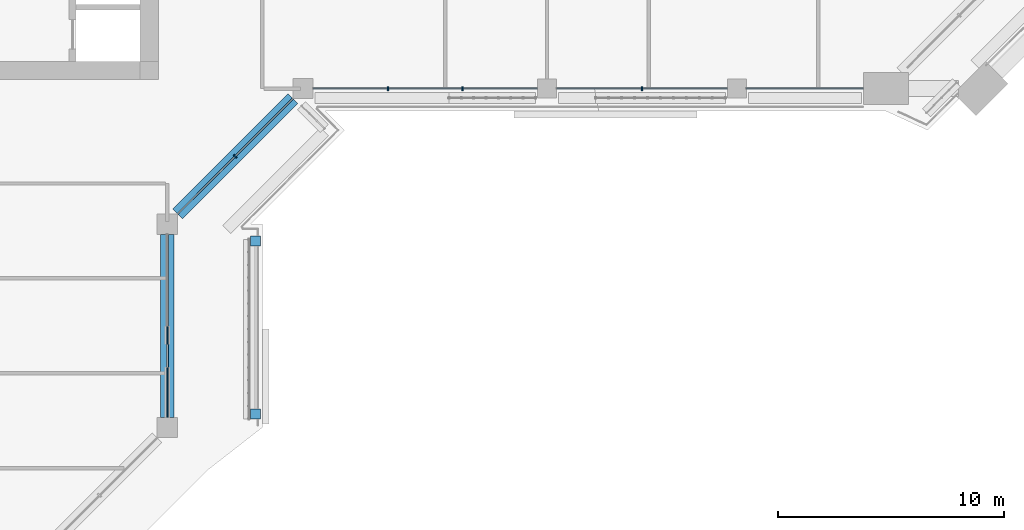
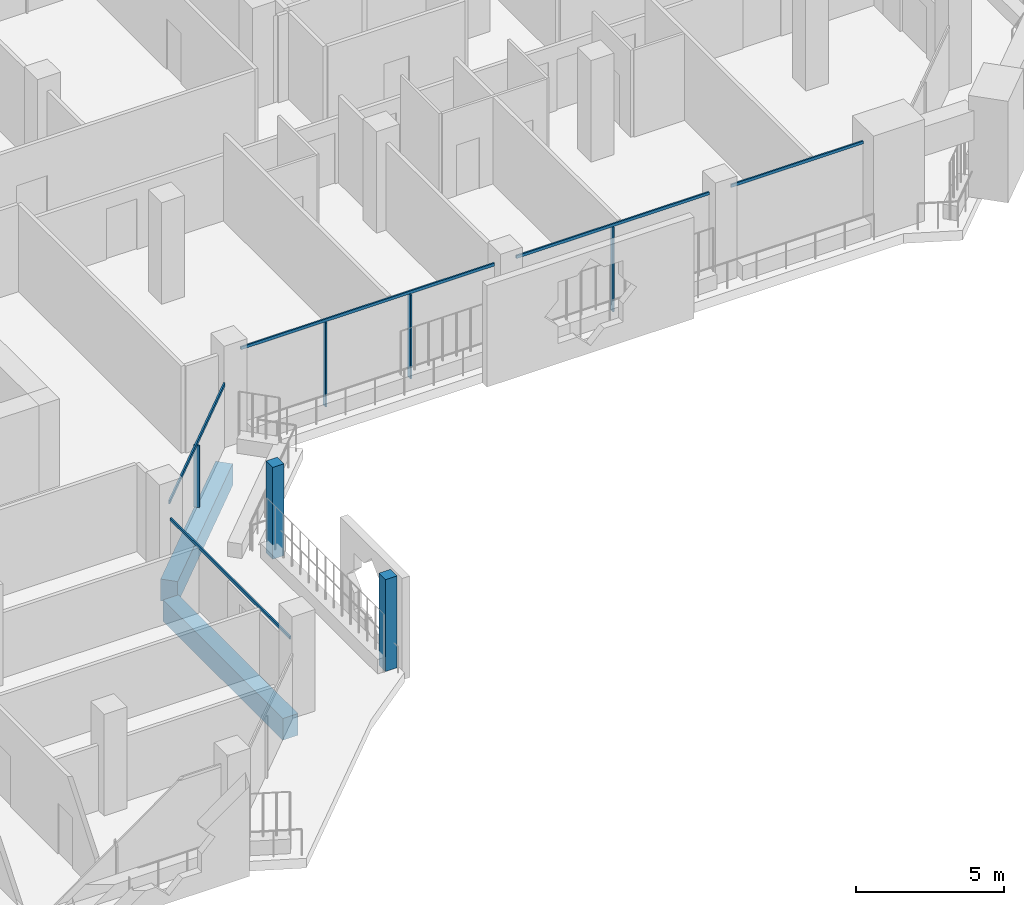
# One storey, part 4 of 21: 11 members, 2 beams, 4 elements without a shape of their own.
"""IFC4 building model written with IfcOpenShell, lengths in metres."""

from ifc_helpers import new_model, si_unit, direction, frame, origin, origin_2d, place, context, subcontext, project, spatial, rectangle, extrude, material, layer, layer_set, material_profile, profile_set, type_object, element, aggregate, save


model = new_model("IFC4")

# Units and contexts
model_context = context("Model", 3, precision=1e-05, world=origin(), true_north=direction((0.0, 1.0)))
body_context = subcontext(model_context, "Body", "Model", "MODEL_VIEW")
ifc_project = project(units=[si_unit("LENGTHUNIT", "METRE"), si_unit("AREAUNIT", "SQUARE_METRE"), si_unit("VOLUMEUNIT", "CUBIC_METRE"), si_unit("PLANEANGLEUNIT", "RADIAN"), si_unit("MASSUNIT", "GRAM", prefix="KILO")], contexts=[model_context])

# Site, building, storey
site_placement = place(None, origin())
site = spatial("IfcSite", under=ifc_project, at=site_placement, CompositionType="ELEMENT")
building_placement = place(site_placement, origin())
building = spatial("IfcBuilding", under=site, at=building_placement, Name="Kawkab Arch Medical Tower", CompositionType="ELEMENT")
storey_placement = place(building_placement, frame((0.0, 0.0, 234.800048828125)))
storey = spatial("IfcBuildingStorey", under=building, at=storey_placement, Name="L54", CompositionType="ELEMENT", Elevation=234.800048828125)

# Curtain wall, members
ifc_material_1 = material(Name="Bronze anodised aluminium curtain wall frame", Category="aluminium")
ifc_layer_1 = layer(ifc_material_1, 0.159912109375)
ifc_layer_set_1 = layer_set([ifc_layer_1], Name="Bronze anodised aluminium curtain wall frame")
curtain_wall_type_1 = type_object("IfcCurtainWallType", Name="CW1 ward curtain wall", PredefinedType="NOTDEFINED", material=ifc_layer_set_1)
placement = place(storey_placement, origin())
curtain_wall_1 = element("IfcCurtainWall", 1, at=placement, inside=storey, type_object=curtain_wall_type_1, Name="CW1 Ward curtain wall R07", PredefinedType="NOTDEFINED")
ifc_material_2 = material(Name="Bronze anodised aluminium curtain wall frame", Category="aluminium")
ifc_material_profile_1 = material_profile(ifc_material_2, rectangle(XDim=0.179931640625, YDim=0.06005859375, at=origin_2d()), Name="AL 60x180")
ifc_profile_set_1 = profile_set([ifc_material_profile_1], Name="Bronze anodised aluminium curtain wall frame")
member_type_1 = type_object("IfcMemberType", Name="CW1 mullion 60 x 180", PredefinedType="MULLION", material=ifc_profile_set_1)
member_1_placement = place(storey_placement, frame((34.958251953125, -25.199951171875, 0.0), z_axis=(0.0, 0.0, 1.0), x_axis=(0.0, 1.0, 0.0)))
member_1 = element("IfcMember", 2, at=member_1_placement, type_object=member_type_1, Name="CW1 mullion 1.1", PredefinedType="MULLION", context=body_context, shape_type="SweptSolid", body=[
    extrude(rectangle(XDim=0.179931640625, YDim=0.06005859375, at=origin_2d()), origin(), (0.0, 0.0, 1.0), 3.47998046875),
])
member_2_placement = place(storey_placement, frame((38.2666015625, -25.199951171875, 0.0), z_axis=(0.0, 0.0, 1.0), x_axis=(0.0, 1.0, 0.0)))
member_2 = element("IfcMember", 3, at=member_2_placement, type_object=member_type_1, Name="CW1 mullion 1.2", PredefinedType="MULLION", context=body_context, shape_type="SweptSolid", body=[
    extrude(rectangle(XDim=0.179931640625, YDim=0.06005859375, at=origin_2d()), origin(), (0.0, 0.0, 1.0), 3.47998046875),
])
member_3_placement = place(storey_placement, frame((46.199951171875, -25.199951171875, 0.0), z_axis=(0.0, 0.0, 1.0), x_axis=(0.0, 1.0, 0.0)))
member_3 = element("IfcMember", 4, at=member_3_placement, type_object=member_type_1, Name="CW1 mullion 2.1", PredefinedType="MULLION", context=body_context, shape_type="SweptSolid", body=[
    extrude(rectangle(XDim=0.179931640625, YDim=0.06005859375, at=origin_2d()), origin(), (0.0, 0.0, 1.0), 3.47998046875),
])

# Curtain wall, member
curtain_wall_2 = element("IfcCurtainWall", 5, at=placement, inside=storey, type_object=curtain_wall_type_1, Name="CW1 Ward curtain wall R05", PredefinedType="NOTDEFINED")
ifc_material_3 = material(Name="Bronze anodised aluminium curtain wall frame", Category="aluminium")
ifc_material_profile_2 = material_profile(ifc_material_3, rectangle(XDim=0.06005859375, YDim=0.1201171875, at=origin_2d()), Name="AL 60x120")
ifc_profile_set_2 = profile_set([ifc_material_profile_2], Name="Bronze anodised aluminium curtain wall frame")
member_type_2 = type_object("IfcMemberType", Name="CW1 transom 120 x 60", PredefinedType="USERDEFINED", material=ifc_profile_set_2)
member_4_placement = place(storey_placement, frame((25.199951171875, -39.75, 2.639892578125), z_axis=(0.0, 1.0, 0.0), x_axis=(-1.0, 0.0, 0.0)))
member_4 = element("IfcMember", 6, at=member_4_placement, type_object=member_type_2, Name="CW1 transom 1", ObjectType="TRANSOM", PredefinedType="USERDEFINED", context=body_context, shape_type="SweptSolid", body=[
    extrude(rectangle(XDim=0.06005859375, YDim=0.1201171875, at=origin_2d()), origin(), (0.0, 0.0, 1.0), 8.10009765625),
])
aggregate(curtain_wall_2, [member_4])

# Member
member_5_placement = place(storey_placement, frame((31.64990234375, -25.199951171875, 3.5400390625), z_axis=(1.0, 0.0, 0.0), x_axis=(0.0, 1.0, 0.0)))
member_5 = element("IfcMember", 7, at=member_5_placement, type_object=member_type_2, Name="CW1 transom 1", ObjectType="TRANSOM", PredefinedType="USERDEFINED", context=body_context, shape_type="SweptSolid", body=[
    extrude(rectangle(XDim=0.06005859375, YDim=0.1201171875, at=origin_2d()), origin(), (0.0, 0.0, 1.0), 9.925048828125),
])

member_6_placement = place(storey_placement, frame((42.425048828125, -25.199951171875, 3.5400390625), z_axis=(1.0, 0.0, 0.0), x_axis=(0.0, 1.0, 0.0)))
member_6 = element("IfcMember", 8, at=member_6_placement, type_object=member_type_2, Name="CW1 transom 2", ObjectType="TRANSOM", PredefinedType="USERDEFINED", context=body_context, shape_type="SweptSolid", body=[
    extrude(rectangle(XDim=0.06005859375, YDim=0.1201171875, at=origin_2d()), origin(), (0.0, 0.0, 1.0), 7.550048828125),
])

member_7_placement = place(storey_placement, frame((50.824951171875, -25.199951171875, 3.5400390625), z_axis=(1.0, 0.0, 0.0), x_axis=(0.0, 1.0, 0.0)))
member_7 = element("IfcMember", 9, at=member_7_placement, type_object=member_type_2, Name="CW1 transom 3", ObjectType="TRANSOM", PredefinedType="USERDEFINED", context=body_context, shape_type="SweptSolid", body=[
    extrude(rectangle(XDim=0.06005859375, YDim=0.1201171875, at=origin_2d()), origin(), (0.0, 0.0, 1.0), 5.175048828125),
])

aggregate(curtain_wall_1, [member_5, member_1, member_2, member_6, member_3, member_7])

# Curtain wall, members
ifc_material_4 = material(Name="Bronze anodised aluminium curtain wall frame", Category="aluminium")
ifc_layer_2 = layer(ifc_material_4, 0.159912109375)
ifc_layer_set_2 = layer_set([ifc_layer_2], Name="Bronze anodised aluminium curtain wall frame")
curtain_wall_type_2 = type_object("IfcCurtainWallType", Name="CW2 chamfer curtain wall", PredefinedType="NOTDEFINED", material=ifc_layer_set_2)
curtain_wall_3 = element("IfcCurtainWall", 10, at=placement, inside=storey, type_object=curtain_wall_type_2, Name="CW2 Chamfer curtain wall R06", PredefinedType="NOTDEFINED")
ifc_material_5 = material(Name="Bronze anodised aluminium curtain wall frame", Category="aluminium")
ifc_material_profile_3 = material_profile(ifc_material_5, rectangle(XDim=0.199951171875, YDim=0.06005859375, at=origin_2d()), Name="AL 60x200")
ifc_profile_set_3 = profile_set([ifc_material_profile_3], Name="Bronze anodised aluminium curtain wall frame")
member_type_3 = type_object("IfcMemberType", Name="CW2 mullion 60 x 200", PredefinedType="MULLION", material=ifc_profile_set_3)
member_8_placement = place(storey_placement, frame((28.199951171875, -28.199951171875, 0.0), z_axis=(0.0, 0.0, 1.0), x_axis=(-0.707106781187, 0.707106781187, 0.0)))
member_8 = element("IfcMember", 11, at=member_8_placement, type_object=member_type_3, Name="CW2 mullion 1.1", PredefinedType="MULLION", context=body_context, shape_type="SweptSolid", body=[
    extrude(rectangle(XDim=0.199951171875, YDim=0.06005859375, at=origin_2d()), origin(), (0.0, 0.0, 1.0), 2.56005859375),
])
ifc_material_6 = material(Name="Bronze anodised aluminium curtain wall frame", Category="aluminium")
ifc_material_profile_4 = material_profile(ifc_material_6, rectangle(XDim=0.06005859375, YDim=0.139892578125, at=origin_2d()), Name="AL 60x140")
ifc_profile_set_4 = profile_set([ifc_material_profile_4], Name="Bronze anodised aluminium curtain wall frame")
member_type_4 = type_object("IfcMemberType", Name="CW2 transom 140 x 60", PredefinedType="USERDEFINED", material=ifc_profile_set_4)
member_9_placement = place(storey_placement, frame((25.64990234375, -30.75, 2.6298828125), z_axis=(0.707106781187, 0.707106781187, 0.0), x_axis=(-0.707106781187, 0.707106781187, 0.0)))
member_9 = element("IfcMember", 12, at=member_9_placement, type_object=member_type_4, Name="CW2 transom 1", ObjectType="TRANSOM", PredefinedType="USERDEFINED", context=body_context, shape_type="SweptSolid", body=[
    extrude(rectangle(XDim=0.06005859375, YDim=0.139892578125, at=origin_2d()), origin(), (0.0, 0.0, 1.0), 7.212646484375),
])
aggregate(curtain_wall_3, [member_9, member_8])

ifc_material_7 = material(Name="Bronze anodised aluminium climber frame, planted", Category="aluminium")
ifc_layer_3 = layer(ifc_material_7, 0.449951171875)
ifc_layer_set_3 = layer_set([ifc_layer_3], Name="Bronze anodised aluminium climber frame, planted")
curtain_wall_type_3 = type_object("IfcCurtainWallType", Name="Planted climber frame", PredefinedType="NOTDEFINED", material=ifc_layer_set_3)
curtain_wall_4 = element("IfcCurtainWall", 13, at=placement, inside=storey, type_object=curtain_wall_type_3, Name="Planted climber frame L54", PredefinedType="NOTDEFINED")
ifc_material_8 = material(Name="Bronze anodised aluminium climber frame, planted", Category="aluminium")
ifc_material_profile_5 = material_profile(ifc_material_8, rectangle(XDim=0.449951171875, YDim=0.449951171875, at=origin_2d()), Name="Post 450x450")
ifc_profile_set_5 = profile_set([ifc_material_profile_5], Name="Bronze anodised aluminium climber frame, planted")
member_type_5 = type_object("IfcMemberType", Name="Planted climber post 450 x 450", PredefinedType="MULLION", material=ifc_profile_set_5)
member_10_placement = place(storey_placement, frame((29.10009765625, -31.949951171875, 0.0), z_axis=(0.0, 0.0, 1.0), x_axis=(1.0, 0.0, 0.0)))
member_10 = element("IfcMember", 14, at=member_10_placement, type_object=member_type_5, Name="Planted climber post L54.LOG-01-01.3", PredefinedType="MULLION", context=body_context, shape_type="SweptSolid", body=[
    extrude(rectangle(XDim=0.449951171875, YDim=0.449951171875, at=origin_2d()), origin(), (0.0, 0.0, 1.0), 3.800048828125),
])
member_11_placement = place(storey_placement, frame((29.10009765625, -39.60302734375, 0.0), z_axis=(0.0, 0.0, 1.0), x_axis=(1.0, 0.0, 0.0)))
member_11 = element("IfcMember", 15, at=member_11_placement, type_object=member_type_5, Name="Planted climber post L54.LOG-01-01.4", PredefinedType="MULLION", context=body_context, shape_type="SweptSolid", body=[
    extrude(rectangle(XDim=0.449951171875, YDim=0.449951171875, at=origin_2d()), origin(), (0.0, 0.0, 1.0), 3.800048828125),
])
aggregate(curtain_wall_4, [member_10, member_11])

# Beams
ifc_material_9 = material(Name="Concrete C45/55", Category="concrete")
ifc_material_profile_6 = material_profile(ifc_material_9, rectangle(XDim=0.60009765625, YDim=0.89990234375, at=origin_2d()), Name="RC 600x900")
ifc_profile_set_6 = profile_set([ifc_material_profile_6], Name="Concrete C45/55")
beam_type = type_object("IfcBeamType", Name="RC 600x900 beam C45/55", PredefinedType="BEAM", material=ifc_profile_set_6)
beam_1_placement = place(storey_placement, frame((30.75, -25.64990234375, -1.050048828125), z_axis=(-0.707106781187, -0.707106781187, 0.0), x_axis=(0.707106781187, -0.707106781187, 0.0)))
element("IfcBeam", 16, at=beam_1_placement, inside=storey, type_object=beam_type, Name="Overhang edge beam L54-04", PredefinedType="BEAM", context=body_context, shape_type="SweptSolid", body=[
    extrude(rectangle(XDim=0.60009765625, YDim=0.89990234375, at=origin_2d()), origin(), (0.0, 0.0, 1.0), 7.212646484375),
])
beam_2_placement = place(storey_placement, frame((25.199951171875, -31.64990234375, -1.050048828125), z_axis=(0.0, -1.0, 0.0), x_axis=(1.0, 0.0, 0.0)))
element("IfcBeam", 17, at=beam_2_placement, inside=storey, type_object=beam_type, Name="Overhang edge beam L54-05", PredefinedType="BEAM", context=body_context, shape_type="SweptSolid", body=[
    extrude(rectangle(XDim=0.60009765625, YDim=0.89990234375, at=origin_2d()), origin(), (0.0, 0.0, 1.0), 8.10009765625),
])

save(model, "model.ifc")
